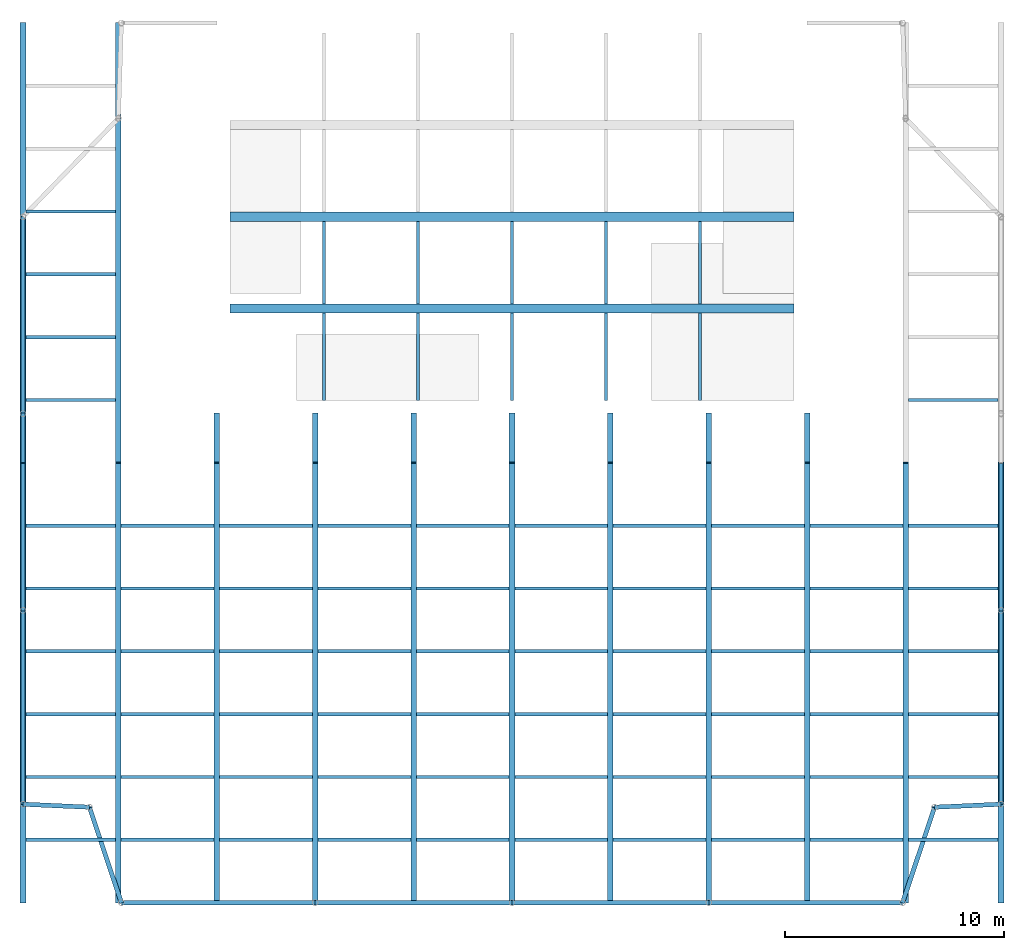
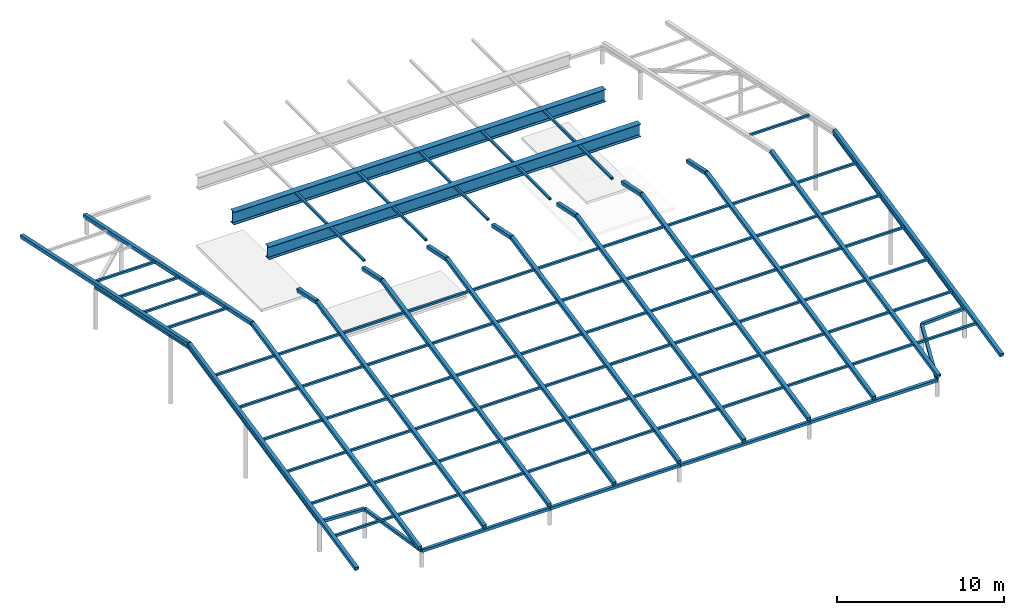
# One storey, part 6 of 7: 85 members, 26 beams.
"""IFC4 building model written with IfcOpenShell, lengths in metres."""

from ifc_helpers import new_model, si_unit, direction, frame, origin, origin_2d, place, context, subcontext, project, spatial, hollow_rectangle, i_section, extrude, material, material_profile, profile_set, type_object, element, save


model = new_model("IFC4")

# Units and contexts
model_context = context("Model", 3, precision=1e-05, world=origin(), true_north=direction((0.0, 1.0)))
body_context = subcontext(model_context, "Body", "Model", "MODEL_VIEW")
ifc_project = project(units=[si_unit("LENGTHUNIT", "METRE"), si_unit("AREAUNIT", "SQUARE_METRE"), si_unit("VOLUMEUNIT", "CUBIC_METRE"), si_unit("PLANEANGLEUNIT", "RADIAN"), si_unit("MASSUNIT", "GRAM", prefix="KILO")], contexts=[model_context])

# Site, building, storey
site_placement = place(None, origin())
site = spatial("IfcSite", under=ifc_project, at=site_placement, CompositionType="ELEMENT")
building_placement = place(site_placement, origin())
building = spatial("IfcBuilding", under=site, at=building_placement, Name="Orbiselva Terraces", CompositionType="ELEMENT")
storey_placement = place(building_placement, frame((0.0, 0.0, 306.6)))
storey = spatial("IfcBuildingStorey", under=building, at=storey_placement, Name="ROOF STAIR AND LIFT HEAD HOUSES", CompositionType="ELEMENT", Elevation=306.6)

# Beams
ifc_material_1 = material(Name="Steel ASTM A500 Grade C", Category="steel")
ifc_material_profile_1 = material_profile(ifc_material_1, hollow_rectangle(XDim=0.2032, YDim=0.2032, WallThickness=0.00953, at=origin_2d()), Name="HSS203.2X203.2X9.5")
ifc_profile_set_1 = profile_set([ifc_material_profile_1], Name="Steel ASTM A500 Grade C")
beam_type_1 = type_object("IfcBeamType", Name="CANOPY EDGE BEAM HSS203.2X203.2X9.5", PredefinedType="BEAM", material=ifc_profile_set_1)
beam_1_placement = place(storey_placement, frame((-22.36345, -4.5, 4.009643), z_axis=(0.0, -0.97814761098, -0.207911642614), x_axis=(1.0, 0.0, 0.0)))
element("IfcBeam", 1, at=beam_1_placement, inside=storey, type_object=beam_type_1, Name="Canopy edge beam 01", PredefinedType="BEAM", context=body_context, shape_type="SweptSolid", body=[
    extrude(hollow_rectangle(XDim=0.2032, YDim=0.2032, WallThickness=0.00953, at=origin_2d()), origin(), (0.0, 0.0, 1.0), 9.061465),
])
beam_2_placement = place(storey_placement, frame((-22.36345, -13.36345, 2.125659), z_axis=(0.998949664244, -0.04481971994, -0.009526857351), x_axis=(0.04482175402, 0.998995000171, 0.0)))
element("IfcBeam", 2, at=beam_2_placement, inside=storey, type_object=beam_type_1, Name="Canopy edge beam 02", PredefinedType="BEAM", context=body_context, shape_type="SweptSolid", body=[
    extrude(hollow_rectangle(XDim=0.2032, YDim=0.2032, WallThickness=0.00953, at=origin_2d()), origin(), (0.0, 0.0, 1.0), 3.04665),
])
beam_3_placement = place(storey_placement, frame((-19.32, -13.5, 2.096634), z_axis=(0.310386206159, -0.929837418053, -0.197643059619), x_axis=(0.948548433206, 0.316632073333, 0.0)))
element("IfcBeam", 3, at=beam_3_placement, inside=storey, type_object=beam_type_1, Name="Canopy edge beam 03", PredefinedType="BEAM", context=body_context, shape_type="SweptSolid", body=[
    extrude(hollow_rectangle(XDim=0.2032, YDim=0.2032, WallThickness=0.00953, at=origin_2d()), origin(), (0.0, 0.0, 1.0), 4.692702),
])
beam_4_placement = place(storey_placement, frame((-17.86345, -17.86345, 1.169154), z_axis=(1.0, 0.0, 0.0), x_axis=(0.0, 1.0, 0.0)))
element("IfcBeam", 4, at=beam_4_placement, inside=storey, type_object=beam_type_1, Name="Canopy edge beam 04", PredefinedType="BEAM", context=body_context, shape_type="SweptSolid", body=[
    extrude(hollow_rectangle(XDim=0.2032, YDim=0.2032, WallThickness=0.00953, at=origin_2d()), origin(), (0.0, 0.0, 1.0), 8.86345),
])
for number, where, z_axis, x_axis, name in (
    (5, (-9.0, -17.86345, 1.169154), (1.0, 0.0, 0.0), (0.0, 1.0, 0.0), "Canopy edge beam 05"),
    (6, (0.0, -17.86345, 1.169154), (1.0, 0.0, 0.0), (0.0, 1.0, 0.0), "Canopy edge beam 06"),
):
    element("IfcBeam", number, at=place(storey_placement, frame(where, z_axis=z_axis, x_axis=x_axis)), inside=storey, type_object=beam_type_1, Name=name, PredefinedType="BEAM", context=body_context, shape_type="SweptSolid", body=[
        extrude(hollow_rectangle(XDim=0.2032, YDim=0.2032, WallThickness=0.00953, at=origin_2d()), origin(), (0.0, 0.0, 1.0), 9.0),
    ])
beam_5_placement = place(storey_placement, frame((9.0, -17.86345, 1.169154), z_axis=(1.0, 0.0, 0.0), x_axis=(0.0, 1.0, 0.0)))
element("IfcBeam", 7, at=beam_5_placement, inside=storey, type_object=beam_type_1, Name="Canopy edge beam 07", PredefinedType="BEAM", context=body_context, shape_type="SweptSolid", body=[
    extrude(hollow_rectangle(XDim=0.2032, YDim=0.2032, WallThickness=0.00953, at=origin_2d()), origin(), (0.0, 0.0, 1.0), 8.86345),
])
beam_6_placement = place(storey_placement, frame((17.86345, -17.86345, 1.169154), z_axis=(0.310386206159, 0.929837418053, 0.197643059619), x_axis=(-0.948548433206, 0.316632073333, 0.0)))
element("IfcBeam", 8, at=beam_6_placement, inside=storey, type_object=beam_type_1, Name="Canopy edge beam 08", PredefinedType="BEAM", context=body_context, shape_type="SweptSolid", body=[
    extrude(hollow_rectangle(XDim=0.2032, YDim=0.2032, WallThickness=0.00953, at=origin_2d()), origin(), (0.0, 0.0, 1.0), 4.692702),
])
beam_7_placement = place(storey_placement, frame((19.32, -13.5, 2.096634), z_axis=(0.998949664244, 0.04481971994, 0.009526857351), x_axis=(-0.04482175402, 0.998995000171, 0.0)))
element("IfcBeam", 9, at=beam_7_placement, inside=storey, type_object=beam_type_1, Name="Canopy edge beam 09", PredefinedType="BEAM", context=body_context, shape_type="SweptSolid", body=[
    extrude(hollow_rectangle(XDim=0.2032, YDim=0.2032, WallThickness=0.00953, at=origin_2d()), origin(), (0.0, 0.0, 1.0), 3.04665),
])
beam_8_placement = place(storey_placement, frame((22.36345, -13.36345, 2.125659), z_axis=(0.0, 0.97814761098, 0.207911642614), x_axis=(-1.0, 0.0, 0.0)))
element("IfcBeam", 10, at=beam_8_placement, inside=storey, type_object=beam_type_1, Name="Canopy edge beam 10", PredefinedType="BEAM", context=body_context, shape_type="SweptSolid", body=[
    extrude(hollow_rectangle(XDim=0.2032, YDim=0.2032, WallThickness=0.00953, at=origin_2d()), origin(), (0.0, 0.0, 1.0), 9.061465),
])
beam_9_placement = place(storey_placement, frame((22.36345, -4.5, 4.009643), z_axis=(0.0, 0.978147594583, 0.207911719757), x_axis=(-1.0, 0.0, 0.0)))
element("IfcBeam", 11, at=beam_9_placement, inside=storey, type_object=beam_type_1, Name="Canopy edge beam 11", PredefinedType="BEAM", context=body_context, shape_type="SweptSolid", body=[
    extrude(hollow_rectangle(XDim=0.2032, YDim=0.2032, WallThickness=0.00953, at=origin_2d()), origin(), (0.0, 0.0, 1.0), 6.900799),
])
beam_10_placement = place(storey_placement, frame((-22.36345, 13.5, 3.053139), z_axis=(0.0, -0.97814760195, 0.207911685095), x_axis=(1.0, 0.0, 0.0)))
element("IfcBeam", 12, at=beam_10_placement, inside=storey, type_object=beam_type_1, Name="Canopy edge beam 18", PredefinedType="BEAM", context=body_context, shape_type="SweptSolid", body=[
    extrude(hollow_rectangle(XDim=0.2032, YDim=0.2032, WallThickness=0.00953, at=origin_2d()), origin(), (0.0, 0.0, 1.0), 9.201065),
])
beam_11_placement = place(storey_placement, frame((-22.36345, 4.5, 4.966148), z_axis=(0.0, -0.978147624053, 0.20791158111), x_axis=(1.0, 0.0, 0.0)))
element("IfcBeam", 13, at=beam_11_placement, inside=storey, type_object=beam_type_1, Name="Canopy edge beam 19", PredefinedType="BEAM", context=body_context, shape_type="SweptSolid", body=[
    extrude(hollow_rectangle(XDim=0.2032, YDim=0.2032, WallThickness=0.00953, at=origin_2d()), origin(), (0.0, 0.0, 1.0), 2.300266),
])
beam_12_placement = place(storey_placement, frame((-22.36345, 2.25, 5.4444), z_axis=(0.0, -0.978147594583, -0.207911719757), x_axis=(1.0, 0.0, 0.0)))
element("IfcBeam", 14, at=beam_12_placement, inside=storey, type_object=beam_type_1, Name="Canopy edge beam 20", PredefinedType="BEAM", context=body_context, shape_type="SweptSolid", body=[
    extrude(hollow_rectangle(XDim=0.2032, YDim=0.2032, WallThickness=0.00953, at=origin_2d()), origin(), (0.0, 0.0, 1.0), 6.900799),
])

# Members
ifc_material_profile_2 = material_profile(ifc_material_1, hollow_rectangle(XDim=0.1524, YDim=0.1524, WallThickness=0.00635, at=origin_2d()), Name="HSS152.4X152.4X6.4")
ifc_profile_set_2 = profile_set([ifc_material_profile_2], Name="Steel ASTM A500 Grade C")
member_type_1 = type_object("IfcMemberType", Name="CANOPY PURLIN HSS152.4X152.4X6.4", PredefinedType="PURLIN", material=ifc_profile_set_2)
member_1_placement = place(storey_placement, frame((-22.23645, -14.9901, 2.043107), z_axis=(1.0, 0.0, 0.0), x_axis=(0.0, 1.0, 0.0)))
element("IfcMember", 15, at=member_1_placement, inside=storey, type_object=member_type_1, Name="Canopy purlin south row 01 bay 01", PredefinedType="PURLIN", context=body_context, shape_type="SweptSolid", body=[
    extrude(hollow_rectangle(XDim=0.1524, YDim=0.1524, WallThickness=0.00635, at=origin_2d()), origin(), (0.0, 0.0, 1.0), 4.10945),
])
for number, where, z_axis, x_axis, name in (
    (16, (-17.873, -14.9901, 2.043107), (1.0, 0.0, 0.0), (0.0, 1.0, 0.0), "Canopy purlin south row 01 bay 02"),
    (17, (-13.373, -14.9901, 2.043107), (1.0, 0.0, 0.0), (0.0, 1.0, 0.0), "Canopy purlin south row 01 bay 03"),
    (18, (-8.873, -14.9901, 2.043107), (1.0, 0.0, 0.0), (0.0, 1.0, 0.0), "Canopy purlin south row 01 bay 04"),
    (19, (-4.373, -14.9901, 2.043107), (1.0, 0.0, 0.0), (0.0, 1.0, 0.0), "Canopy purlin south row 01 bay 05"),
    (20, (0.127, -14.9901, 2.043107), (1.0, 0.0, 0.0), (0.0, 1.0, 0.0), "Canopy purlin south row 01 bay 06"),
    (21, (4.627, -14.9901, 2.043107), (1.0, 0.0, 0.0), (0.0, 1.0, 0.0), "Canopy purlin south row 01 bay 07"),
    (22, (9.127, -14.9901, 2.043107), (1.0, 0.0, 0.0), (0.0, 1.0, 0.0), "Canopy purlin south row 01 bay 08"),
    (23, (13.627, -14.9901, 2.043107), (1.0, 0.0, 0.0), (0.0, 1.0, 0.0), "Canopy purlin south row 01 bay 09"),
):
    element("IfcMember", number, at=place(storey_placement, frame(where, z_axis=z_axis, x_axis=x_axis)), inside=storey, type_object=member_type_1, Name=name, PredefinedType="PURLIN", context=body_context, shape_type="SweptSolid", body=[
        extrude(hollow_rectangle(XDim=0.1524, YDim=0.1524, WallThickness=0.00635, at=origin_2d()), origin(), (0.0, 0.0, 1.0), 4.246),
    ])
for number, where, z_axis, x_axis, name in (
    (24, (18.127, -14.9901, 2.043107), (1.0, 0.0, 0.0), (0.0, 1.0, 0.0), "Canopy purlin south row 01 bay 10"),
    (25, (-22.23645, -12.11675, 2.653856), (1.0, 0.0, 0.0), (0.0, 1.0, 0.0), "Canopy purlin south row 02 bay 01"),
):
    element("IfcMember", number, at=place(storey_placement, frame(where, z_axis=z_axis, x_axis=x_axis)), inside=storey, type_object=member_type_1, Name=name, PredefinedType="PURLIN", context=body_context, shape_type="SweptSolid", body=[
        extrude(hollow_rectangle(XDim=0.1524, YDim=0.1524, WallThickness=0.00635, at=origin_2d()), origin(), (0.0, 0.0, 1.0), 4.10945),
    ])
for number, where, z_axis, x_axis, name in (
    (26, (-17.873, -12.11675, 2.653856), (1.0, 0.0, 0.0), (0.0, 1.0, 0.0), "Canopy purlin south row 02 bay 02"),
    (27, (-13.373, -12.11675, 2.653856), (1.0, 0.0, 0.0), (0.0, 1.0, 0.0), "Canopy purlin south row 02 bay 03"),
    (28, (-8.873, -12.11675, 2.653856), (1.0, 0.0, 0.0), (0.0, 1.0, 0.0), "Canopy purlin south row 02 bay 04"),
    (29, (-4.373, -12.11675, 2.653856), (1.0, 0.0, 0.0), (0.0, 1.0, 0.0), "Canopy purlin south row 02 bay 05"),
    (30, (0.127, -12.11675, 2.653856), (1.0, 0.0, 0.0), (0.0, 1.0, 0.0), "Canopy purlin south row 02 bay 06"),
    (31, (4.627, -12.11675, 2.653856), (1.0, 0.0, 0.0), (0.0, 1.0, 0.0), "Canopy purlin south row 02 bay 07"),
    (32, (9.127, -12.11675, 2.653856), (1.0, 0.0, 0.0), (0.0, 1.0, 0.0), "Canopy purlin south row 02 bay 08"),
    (33, (13.627, -12.11675, 2.653856), (1.0, 0.0, 0.0), (0.0, 1.0, 0.0), "Canopy purlin south row 02 bay 09"),
):
    element("IfcMember", number, at=place(storey_placement, frame(where, z_axis=z_axis, x_axis=x_axis)), inside=storey, type_object=member_type_1, Name=name, PredefinedType="PURLIN", context=body_context, shape_type="SweptSolid", body=[
        extrude(hollow_rectangle(XDim=0.1524, YDim=0.1524, WallThickness=0.00635, at=origin_2d()), origin(), (0.0, 0.0, 1.0), 4.246),
    ])
for number, where, z_axis, x_axis, name in (
    (34, (18.127, -12.11675, 2.653856), (1.0, 0.0, 0.0), (0.0, 1.0, 0.0), "Canopy purlin south row 02 bay 10"),
    (35, (-22.23645, -9.2434, 3.264605), (1.0, 0.0, 0.0), (0.0, 1.0, 0.0), "Canopy purlin south row 03 bay 01"),
):
    element("IfcMember", number, at=place(storey_placement, frame(where, z_axis=z_axis, x_axis=x_axis)), inside=storey, type_object=member_type_1, Name=name, PredefinedType="PURLIN", context=body_context, shape_type="SweptSolid", body=[
        extrude(hollow_rectangle(XDim=0.1524, YDim=0.1524, WallThickness=0.00635, at=origin_2d()), origin(), (0.0, 0.0, 1.0), 4.10945),
    ])
for number, where, z_axis, x_axis, name in (
    (36, (-17.873, -9.2434, 3.264605), (1.0, 0.0, 0.0), (0.0, 1.0, 0.0), "Canopy purlin south row 03 bay 02"),
    (37, (-13.373, -9.2434, 3.264605), (1.0, 0.0, 0.0), (0.0, 1.0, 0.0), "Canopy purlin south row 03 bay 03"),
    (38, (-8.873, -9.2434, 3.264605), (1.0, 0.0, 0.0), (0.0, 1.0, 0.0), "Canopy purlin south row 03 bay 04"),
    (39, (-4.373, -9.2434, 3.264605), (1.0, 0.0, 0.0), (0.0, 1.0, 0.0), "Canopy purlin south row 03 bay 05"),
    (40, (0.127, -9.2434, 3.264605), (1.0, 0.0, 0.0), (0.0, 1.0, 0.0), "Canopy purlin south row 03 bay 06"),
    (41, (4.627, -9.2434, 3.264605), (1.0, 0.0, 0.0), (0.0, 1.0, 0.0), "Canopy purlin south row 03 bay 07"),
    (42, (9.127, -9.2434, 3.264605), (1.0, 0.0, 0.0), (0.0, 1.0, 0.0), "Canopy purlin south row 03 bay 08"),
    (43, (13.627, -9.2434, 3.264605), (1.0, 0.0, 0.0), (0.0, 1.0, 0.0), "Canopy purlin south row 03 bay 09"),
):
    element("IfcMember", number, at=place(storey_placement, frame(where, z_axis=z_axis, x_axis=x_axis)), inside=storey, type_object=member_type_1, Name=name, PredefinedType="PURLIN", context=body_context, shape_type="SweptSolid", body=[
        extrude(hollow_rectangle(XDim=0.1524, YDim=0.1524, WallThickness=0.00635, at=origin_2d()), origin(), (0.0, 0.0, 1.0), 4.246),
    ])
for number, where, z_axis, x_axis, name in (
    (44, (18.127, -9.2434, 3.264605), (1.0, 0.0, 0.0), (0.0, 1.0, 0.0), "Canopy purlin south row 03 bay 10"),
    (45, (-22.23645, -6.37005, 3.875355), (1.0, 0.0, 0.0), (0.0, 1.0, 0.0), "Canopy purlin south row 04 bay 01"),
):
    element("IfcMember", number, at=place(storey_placement, frame(where, z_axis=z_axis, x_axis=x_axis)), inside=storey, type_object=member_type_1, Name=name, PredefinedType="PURLIN", context=body_context, shape_type="SweptSolid", body=[
        extrude(hollow_rectangle(XDim=0.1524, YDim=0.1524, WallThickness=0.00635, at=origin_2d()), origin(), (0.0, 0.0, 1.0), 4.10945),
    ])
for number, where, z_axis, x_axis, name in (
    (46, (-17.873, -6.37005, 3.875355), (1.0, 0.0, 0.0), (0.0, 1.0, 0.0), "Canopy purlin south row 04 bay 02"),
    (47, (-13.373, -6.37005, 3.875355), (1.0, 0.0, 0.0), (0.0, 1.0, 0.0), "Canopy purlin south row 04 bay 03"),
    (48, (-8.873, -6.37005, 3.875355), (1.0, 0.0, 0.0), (0.0, 1.0, 0.0), "Canopy purlin south row 04 bay 04"),
    (49, (-4.373, -6.37005, 3.875355), (1.0, 0.0, 0.0), (0.0, 1.0, 0.0), "Canopy purlin south row 04 bay 05"),
    (50, (0.127, -6.37005, 3.875355), (1.0, 0.0, 0.0), (0.0, 1.0, 0.0), "Canopy purlin south row 04 bay 06"),
    (51, (4.627, -6.37005, 3.875355), (1.0, 0.0, 0.0), (0.0, 1.0, 0.0), "Canopy purlin south row 04 bay 07"),
    (52, (9.127, -6.37005, 3.875355), (1.0, 0.0, 0.0), (0.0, 1.0, 0.0), "Canopy purlin south row 04 bay 08"),
    (53, (13.627, -6.37005, 3.875355), (1.0, 0.0, 0.0), (0.0, 1.0, 0.0), "Canopy purlin south row 04 bay 09"),
):
    element("IfcMember", number, at=place(storey_placement, frame(where, z_axis=z_axis, x_axis=x_axis)), inside=storey, type_object=member_type_1, Name=name, PredefinedType="PURLIN", context=body_context, shape_type="SweptSolid", body=[
        extrude(hollow_rectangle(XDim=0.1524, YDim=0.1524, WallThickness=0.00635, at=origin_2d()), origin(), (0.0, 0.0, 1.0), 4.246),
    ])
for number, where, z_axis, x_axis, name in (
    (54, (18.127, -6.37005, 3.875355), (1.0, 0.0, 0.0), (0.0, 1.0, 0.0), "Canopy purlin south row 04 bay 10"),
    (55, (-22.23645, -3.4967, 4.486104), (1.0, 0.0, 0.0), (0.0, 1.0, 0.0), "Canopy purlin south row 05 bay 01"),
):
    element("IfcMember", number, at=place(storey_placement, frame(where, z_axis=z_axis, x_axis=x_axis)), inside=storey, type_object=member_type_1, Name=name, PredefinedType="PURLIN", context=body_context, shape_type="SweptSolid", body=[
        extrude(hollow_rectangle(XDim=0.1524, YDim=0.1524, WallThickness=0.00635, at=origin_2d()), origin(), (0.0, 0.0, 1.0), 4.10945),
    ])
for number, where, z_axis, x_axis, name in (
    (56, (-17.873, -3.4967, 4.486104), (1.0, 0.0, 0.0), (0.0, 1.0, 0.0), "Canopy purlin south row 05 bay 02"),
    (57, (-13.373, -3.4967, 4.486104), (1.0, 0.0, 0.0), (0.0, 1.0, 0.0), "Canopy purlin south row 05 bay 03"),
    (58, (-8.873, -3.4967, 4.486104), (1.0, 0.0, 0.0), (0.0, 1.0, 0.0), "Canopy purlin south row 05 bay 04"),
    (59, (-4.373, -3.4967, 4.486104), (1.0, 0.0, 0.0), (0.0, 1.0, 0.0), "Canopy purlin south row 05 bay 05"),
    (60, (0.127, -3.4967, 4.486104), (1.0, 0.0, 0.0), (0.0, 1.0, 0.0), "Canopy purlin south row 05 bay 06"),
    (61, (4.627, -3.4967, 4.486104), (1.0, 0.0, 0.0), (0.0, 1.0, 0.0), "Canopy purlin south row 05 bay 07"),
    (62, (9.127, -3.4967, 4.486104), (1.0, 0.0, 0.0), (0.0, 1.0, 0.0), "Canopy purlin south row 05 bay 08"),
    (63, (13.627, -3.4967, 4.486104), (1.0, 0.0, 0.0), (0.0, 1.0, 0.0), "Canopy purlin south row 05 bay 09"),
):
    element("IfcMember", number, at=place(storey_placement, frame(where, z_axis=z_axis, x_axis=x_axis)), inside=storey, type_object=member_type_1, Name=name, PredefinedType="PURLIN", context=body_context, shape_type="SweptSolid", body=[
        extrude(hollow_rectangle(XDim=0.1524, YDim=0.1524, WallThickness=0.00635, at=origin_2d()), origin(), (0.0, 0.0, 1.0), 4.246),
    ])
for number, where, z_axis, x_axis, name in (
    (64, (18.127, -3.4967, 4.486104), (1.0, 0.0, 0.0), (0.0, 1.0, 0.0), "Canopy purlin south row 05 bay 10"),
    (65, (-22.23645, -0.62335, 5.096854), (1.0, 0.0, 0.0), (0.0, 1.0, 0.0), "Canopy purlin south row 06 bay 01"),
):
    element("IfcMember", number, at=place(storey_placement, frame(where, z_axis=z_axis, x_axis=x_axis)), inside=storey, type_object=member_type_1, Name=name, PredefinedType="PURLIN", context=body_context, shape_type="SweptSolid", body=[
        extrude(hollow_rectangle(XDim=0.1524, YDim=0.1524, WallThickness=0.00635, at=origin_2d()), origin(), (0.0, 0.0, 1.0), 4.10945),
    ])
for number, where, z_axis, x_axis, name in (
    (66, (-17.873, -0.62335, 5.096854), (1.0, 0.0, 0.0), (0.0, 1.0, 0.0), "Canopy purlin south row 06 bay 02"),
    (67, (-13.373, -0.62335, 5.096854), (1.0, 0.0, 0.0), (0.0, 1.0, 0.0), "Canopy purlin south row 06 bay 03"),
    (68, (-8.873, -0.62335, 5.096854), (1.0, 0.0, 0.0), (0.0, 1.0, 0.0), "Canopy purlin south row 06 bay 04"),
    (69, (-4.373, -0.62335, 5.096854), (1.0, 0.0, 0.0), (0.0, 1.0, 0.0), "Canopy purlin south row 06 bay 05"),
    (70, (0.127, -0.62335, 5.096854), (1.0, 0.0, 0.0), (0.0, 1.0, 0.0), "Canopy purlin south row 06 bay 06"),
    (71, (4.627, -0.62335, 5.096854), (1.0, 0.0, 0.0), (0.0, 1.0, 0.0), "Canopy purlin south row 06 bay 07"),
    (72, (9.127, -0.62335, 5.096854), (1.0, 0.0, 0.0), (0.0, 1.0, 0.0), "Canopy purlin south row 06 bay 08"),
    (73, (13.627, -0.62335, 5.096854), (1.0, 0.0, 0.0), (0.0, 1.0, 0.0), "Canopy purlin south row 06 bay 09"),
):
    element("IfcMember", number, at=place(storey_placement, frame(where, z_axis=z_axis, x_axis=x_axis)), inside=storey, type_object=member_type_1, Name=name, PredefinedType="PURLIN", context=body_context, shape_type="SweptSolid", body=[
        extrude(hollow_rectangle(XDim=0.1524, YDim=0.1524, WallThickness=0.00635, at=origin_2d()), origin(), (0.0, 0.0, 1.0), 4.246),
    ])
for number, where, z_axis, x_axis, name in (
    (74, (18.127, -0.62335, 5.096854), (1.0, 0.0, 0.0), (0.0, 1.0, 0.0), "Canopy purlin south row 06 bay 10"),
    (75, (-22.23645, 5.12335, 5.096854), (1.0, 0.0, 0.0), (0.0, 1.0, 0.0), "Canopy purlin north row 01 bay 01"),
    (76, (18.127, 5.12335, 5.096854), (1.0, 0.0, 0.0), (0.0, 1.0, 0.0), "Canopy purlin north row 01 bay 10"),
    (77, (-22.23645, 7.9967, 4.486104), (1.0, 0.0, 0.0), (0.0, 1.0, 0.0), "Canopy purlin north row 02 bay 01"),
    (78, (-22.23645, 10.87005, 3.875355), (1.0, 0.0, 0.0), (0.0, 1.0, 0.0), "Canopy purlin north row 03 bay 01"),
    (79, (-22.23645, 13.7434, 3.264605), (1.0, 0.0, 0.0), (0.0, 1.0, 0.0), "Canopy purlin north row 04 bay 01"),
):
    element("IfcMember", number, at=place(storey_placement, frame(where, z_axis=z_axis, x_axis=x_axis)), inside=storey, type_object=member_type_1, Name=name, PredefinedType="PURLIN", context=body_context, shape_type="SweptSolid", body=[
        extrude(hollow_rectangle(XDim=0.1524, YDim=0.1524, WallThickness=0.00635, at=origin_2d()), origin(), (0.0, 0.0, 1.0), 4.10945),
    ])
ifc_material_profile_3 = material_profile(ifc_material_1, hollow_rectangle(XDim=0.254, YDim=0.254, WallThickness=0.0127, at=origin_2d()), Name="HSS254X254X12.7")
ifc_profile_set_3 = profile_set([ifc_material_profile_3], Name="Steel ASTM A500 Grade C")
member_type_2 = type_object("IfcMemberType", Name="CANOPY RAFTER HSS254X254X12.7", PredefinedType="RAFTER", material=ifc_profile_set_3)
for number, where, z_axis, x_axis, name in (
    (80, (-22.36345, -17.86345, 1.397754), (0.0, 0.978147598512, 0.207911701272), (-1.0, 0.0, 0.0), "Canopy rafter south 01"),
    (81, (-22.36345, 2.25, 5.673), (0.0, 0.978147598512, -0.207911701272), (-1.0, 0.0, 0.0), "Canopy rafter north 01"),
    (82, (-18.0, -17.86345, 1.397754), (0.0, 0.978147598512, 0.207911701272), (-1.0, 0.0, 0.0), "Canopy rafter south 02"),
    (83, (-18.0, 2.25, 5.673), (0.0, 0.978147598512, -0.207911701272), (-1.0, 0.0, 0.0), "Canopy rafter north 02"),
    (84, (-13.5, -17.86345, 1.397754), (0.0, 0.978147598512, 0.207911701272), (-1.0, 0.0, 0.0), "Canopy rafter south 03"),
):
    element("IfcMember", number, at=place(storey_placement, frame(where, z_axis=z_axis, x_axis=x_axis)), inside=storey, type_object=member_type_2, Name=name, PredefinedType="RAFTER", context=body_context, shape_type="SweptSolid", body=[
        extrude(hollow_rectangle(XDim=0.254, YDim=0.254, WallThickness=0.0127, at=origin_2d()), origin(), (0.0, 0.0, 1.0), 20.562796),
    ])
member_2_placement = place(storey_placement, frame((-13.5, 2.25, 5.673), z_axis=(0.0, 0.978147624053, -0.20791158111), x_axis=(-1.0, 0.0, 0.0)))
element("IfcMember", 85, at=member_2_placement, inside=storey, type_object=member_type_2, Name="Canopy rafter north 03", PredefinedType="RAFTER", context=body_context, shape_type="SweptSolid", body=[
    extrude(hollow_rectangle(XDim=0.254, YDim=0.254, WallThickness=0.0127, at=origin_2d()), origin(), (0.0, 0.0, 1.0), 2.300266),
])
member_3_placement = place(storey_placement, frame((-9.0, -17.86345, 1.397754), z_axis=(0.0, 0.978147598512, 0.207911701272), x_axis=(-1.0, 0.0, 0.0)))
element("IfcMember", 86, at=member_3_placement, inside=storey, type_object=member_type_2, Name="Canopy rafter south 04", PredefinedType="RAFTER", context=body_context, shape_type="SweptSolid", body=[
    extrude(hollow_rectangle(XDim=0.254, YDim=0.254, WallThickness=0.0127, at=origin_2d()), origin(), (0.0, 0.0, 1.0), 20.562796),
])
member_4_placement = place(storey_placement, frame((-9.0, 2.25, 5.673), z_axis=(0.0, 0.978147624053, -0.20791158111), x_axis=(-1.0, 0.0, 0.0)))
element("IfcMember", 87, at=member_4_placement, inside=storey, type_object=member_type_2, Name="Canopy rafter north 04", PredefinedType="RAFTER", context=body_context, shape_type="SweptSolid", body=[
    extrude(hollow_rectangle(XDim=0.254, YDim=0.254, WallThickness=0.0127, at=origin_2d()), origin(), (0.0, 0.0, 1.0), 2.300266),
])
member_5_placement = place(storey_placement, frame((-4.5, -17.86345, 1.397754), z_axis=(0.0, 0.978147598512, 0.207911701272), x_axis=(-1.0, 0.0, 0.0)))
element("IfcMember", 88, at=member_5_placement, inside=storey, type_object=member_type_2, Name="Canopy rafter south 05", PredefinedType="RAFTER", context=body_context, shape_type="SweptSolid", body=[
    extrude(hollow_rectangle(XDim=0.254, YDim=0.254, WallThickness=0.0127, at=origin_2d()), origin(), (0.0, 0.0, 1.0), 20.562796),
])
member_6_placement = place(storey_placement, frame((-4.5, 2.25, 5.673), z_axis=(0.0, 0.978147624053, -0.20791158111), x_axis=(-1.0, 0.0, 0.0)))
element("IfcMember", 89, at=member_6_placement, inside=storey, type_object=member_type_2, Name="Canopy rafter north 05", PredefinedType="RAFTER", context=body_context, shape_type="SweptSolid", body=[
    extrude(hollow_rectangle(XDim=0.254, YDim=0.254, WallThickness=0.0127, at=origin_2d()), origin(), (0.0, 0.0, 1.0), 2.300266),
])
member_7_placement = place(storey_placement, frame((0.0, -17.86345, 1.397754), z_axis=(0.0, 0.978147598512, 0.207911701272), x_axis=(-1.0, 0.0, 0.0)))
element("IfcMember", 90, at=member_7_placement, inside=storey, type_object=member_type_2, Name="Canopy rafter south 06", PredefinedType="RAFTER", context=body_context, shape_type="SweptSolid", body=[
    extrude(hollow_rectangle(XDim=0.254, YDim=0.254, WallThickness=0.0127, at=origin_2d()), origin(), (0.0, 0.0, 1.0), 20.562796),
])
member_8_placement = place(storey_placement, frame((0.0, 2.25, 5.673), z_axis=(0.0, 0.978147624053, -0.20791158111), x_axis=(-1.0, 0.0, 0.0)))
element("IfcMember", 91, at=member_8_placement, inside=storey, type_object=member_type_2, Name="Canopy rafter north 06", PredefinedType="RAFTER", context=body_context, shape_type="SweptSolid", body=[
    extrude(hollow_rectangle(XDim=0.254, YDim=0.254, WallThickness=0.0127, at=origin_2d()), origin(), (0.0, 0.0, 1.0), 2.300266),
])
member_9_placement = place(storey_placement, frame((4.5, -17.86345, 1.397754), z_axis=(0.0, 0.978147598512, 0.207911701272), x_axis=(-1.0, 0.0, 0.0)))
element("IfcMember", 92, at=member_9_placement, inside=storey, type_object=member_type_2, Name="Canopy rafter south 07", PredefinedType="RAFTER", context=body_context, shape_type="SweptSolid", body=[
    extrude(hollow_rectangle(XDim=0.254, YDim=0.254, WallThickness=0.0127, at=origin_2d()), origin(), (0.0, 0.0, 1.0), 20.562796),
])
member_10_placement = place(storey_placement, frame((4.5, 2.25, 5.673), z_axis=(0.0, 0.978147624053, -0.20791158111), x_axis=(-1.0, 0.0, 0.0)))
element("IfcMember", 93, at=member_10_placement, inside=storey, type_object=member_type_2, Name="Canopy rafter north 07", PredefinedType="RAFTER", context=body_context, shape_type="SweptSolid", body=[
    extrude(hollow_rectangle(XDim=0.254, YDim=0.254, WallThickness=0.0127, at=origin_2d()), origin(), (0.0, 0.0, 1.0), 2.300266),
])
member_11_placement = place(storey_placement, frame((9.0, -17.86345, 1.397754), z_axis=(0.0, 0.978147598512, 0.207911701272), x_axis=(-1.0, 0.0, 0.0)))
element("IfcMember", 94, at=member_11_placement, inside=storey, type_object=member_type_2, Name="Canopy rafter south 08", PredefinedType="RAFTER", context=body_context, shape_type="SweptSolid", body=[
    extrude(hollow_rectangle(XDim=0.254, YDim=0.254, WallThickness=0.0127, at=origin_2d()), origin(), (0.0, 0.0, 1.0), 20.562796),
])
member_12_placement = place(storey_placement, frame((9.0, 2.25, 5.673), z_axis=(0.0, 0.978147624053, -0.20791158111), x_axis=(-1.0, 0.0, 0.0)))
element("IfcMember", 95, at=member_12_placement, inside=storey, type_object=member_type_2, Name="Canopy rafter north 08", PredefinedType="RAFTER", context=body_context, shape_type="SweptSolid", body=[
    extrude(hollow_rectangle(XDim=0.254, YDim=0.254, WallThickness=0.0127, at=origin_2d()), origin(), (0.0, 0.0, 1.0), 2.300266),
])
member_13_placement = place(storey_placement, frame((13.5, -17.86345, 1.397754), z_axis=(0.0, 0.978147598512, 0.207911701272), x_axis=(-1.0, 0.0, 0.0)))
element("IfcMember", 96, at=member_13_placement, inside=storey, type_object=member_type_2, Name="Canopy rafter south 09", PredefinedType="RAFTER", context=body_context, shape_type="SweptSolid", body=[
    extrude(hollow_rectangle(XDim=0.254, YDim=0.254, WallThickness=0.0127, at=origin_2d()), origin(), (0.0, 0.0, 1.0), 20.562796),
])
member_14_placement = place(storey_placement, frame((13.5, 2.25, 5.673), z_axis=(0.0, 0.978147624053, -0.20791158111), x_axis=(-1.0, 0.0, 0.0)))
element("IfcMember", 97, at=member_14_placement, inside=storey, type_object=member_type_2, Name="Canopy rafter north 09", PredefinedType="RAFTER", context=body_context, shape_type="SweptSolid", body=[
    extrude(hollow_rectangle(XDim=0.254, YDim=0.254, WallThickness=0.0127, at=origin_2d()), origin(), (0.0, 0.0, 1.0), 2.300266),
])
for number, where, z_axis, x_axis, name in (
    (98, (18.0, -17.86345, 1.397754), (0.0, 0.978147598512, 0.207911701272), (-1.0, 0.0, 0.0), "Canopy rafter south 10"),
    (99, (22.36345, -17.86345, 1.397754), (0.0, 0.978147598512, 0.207911701272), (-1.0, 0.0, 0.0), "Canopy rafter south 11"),
):
    element("IfcMember", number, at=place(storey_placement, frame(where, z_axis=z_axis, x_axis=x_axis)), inside=storey, type_object=member_type_2, Name=name, PredefinedType="RAFTER", context=body_context, shape_type="SweptSolid", body=[
        extrude(hollow_rectangle(XDim=0.254, YDim=0.254, WallThickness=0.0127, at=origin_2d()), origin(), (0.0, 0.0, 1.0), 20.562796),
    ])

# Beams
ifc_material_profile_4 = material_profile(ifc_material_1, hollow_rectangle(XDim=0.1524, YDim=0.1524, WallThickness=0.00635, at=origin_2d()), Name="HSS152.4X152.4X6.4")
ifc_profile_set_4 = profile_set([ifc_material_profile_4], Name="Steel ASTM A500 Grade C")
beam_type_2 = type_object("IfcBeamType", Name="GLAZING BAR HSS152.4X152.4X6.4", PredefinedType="BEAM", material=ifc_profile_set_4)
beam_13_placement = place(storey_placement, frame((-8.6, 5.1, 5.2455), z_axis=(0.0, 1.0, 0.0), x_axis=(-1.0, 0.0, 0.0)))
element("IfcBeam", 100, at=beam_13_placement, inside=storey, type_object=beam_type_2, Name="Glazing bar 1", PredefinedType="BEAM", context=body_context, shape_type="SweptSolid", body=[
    extrude(hollow_rectangle(XDim=0.1524, YDim=0.1524, WallThickness=0.00635, at=origin_2d()), origin(), (0.0, 0.0, 1.0), 3.9905),
])
beam_14_placement = place(storey_placement, frame((-8.6, 9.5095, 5.2455), z_axis=(0.0, 1.0, 0.0), x_axis=(-1.0, 0.0, 0.0)))
element("IfcBeam", 101, at=beam_14_placement, inside=storey, type_object=beam_type_2, Name="Glazing bar 2", PredefinedType="BEAM", context=body_context, shape_type="SweptSolid", body=[
    extrude(hollow_rectangle(XDim=0.1524, YDim=0.1524, WallThickness=0.00635, at=origin_2d()), origin(), (0.0, 0.0, 1.0), 3.781),
])
beam_15_placement = place(storey_placement, frame((-4.3, 5.1, 5.2455), z_axis=(0.0, 1.0, 0.0), x_axis=(-1.0, 0.0, 0.0)))
element("IfcBeam", 102, at=beam_15_placement, inside=storey, type_object=beam_type_2, Name="Glazing bar 5", PredefinedType="BEAM", context=body_context, shape_type="SweptSolid", body=[
    extrude(hollow_rectangle(XDim=0.1524, YDim=0.1524, WallThickness=0.00635, at=origin_2d()), origin(), (0.0, 0.0, 1.0), 3.9905),
])
beam_16_placement = place(storey_placement, frame((-4.3, 9.5095, 5.2455), z_axis=(0.0, 1.0, 0.0), x_axis=(-1.0, 0.0, 0.0)))
element("IfcBeam", 103, at=beam_16_placement, inside=storey, type_object=beam_type_2, Name="Glazing bar 6", PredefinedType="BEAM", context=body_context, shape_type="SweptSolid", body=[
    extrude(hollow_rectangle(XDim=0.1524, YDim=0.1524, WallThickness=0.00635, at=origin_2d()), origin(), (0.0, 0.0, 1.0), 3.781),
])
beam_17_placement = place(storey_placement, frame((0.0, 5.1, 5.2455), z_axis=(0.0, 1.0, 0.0), x_axis=(-1.0, 0.0, 0.0)))
element("IfcBeam", 104, at=beam_17_placement, inside=storey, type_object=beam_type_2, Name="Glazing bar 9", PredefinedType="BEAM", context=body_context, shape_type="SweptSolid", body=[
    extrude(hollow_rectangle(XDim=0.1524, YDim=0.1524, WallThickness=0.00635, at=origin_2d()), origin(), (0.0, 0.0, 1.0), 3.9905),
])
beam_18_placement = place(storey_placement, frame((0.0, 9.5095, 5.2455), z_axis=(0.0, 1.0, 0.0), x_axis=(-1.0, 0.0, 0.0)))
element("IfcBeam", 105, at=beam_18_placement, inside=storey, type_object=beam_type_2, Name="Glazing bar 10", PredefinedType="BEAM", context=body_context, shape_type="SweptSolid", body=[
    extrude(hollow_rectangle(XDim=0.1524, YDim=0.1524, WallThickness=0.00635, at=origin_2d()), origin(), (0.0, 0.0, 1.0), 3.781),
])
beam_19_placement = place(storey_placement, frame((4.3, 5.1, 5.2455), z_axis=(0.0, 1.0, 0.0), x_axis=(-1.0, 0.0, 0.0)))
element("IfcBeam", 106, at=beam_19_placement, inside=storey, type_object=beam_type_2, Name="Glazing bar 13", PredefinedType="BEAM", context=body_context, shape_type="SweptSolid", body=[
    extrude(hollow_rectangle(XDim=0.1524, YDim=0.1524, WallThickness=0.00635, at=origin_2d()), origin(), (0.0, 0.0, 1.0), 3.9905),
])
beam_20_placement = place(storey_placement, frame((4.3, 9.5095, 5.2455), z_axis=(0.0, 1.0, 0.0), x_axis=(-1.0, 0.0, 0.0)))
element("IfcBeam", 107, at=beam_20_placement, inside=storey, type_object=beam_type_2, Name="Glazing bar 14", PredefinedType="BEAM", context=body_context, shape_type="SweptSolid", body=[
    extrude(hollow_rectangle(XDim=0.1524, YDim=0.1524, WallThickness=0.00635, at=origin_2d()), origin(), (0.0, 0.0, 1.0), 3.781),
])
beam_21_placement = place(storey_placement, frame((8.6, 5.1, 5.2455), z_axis=(0.0, 1.0, 0.0), x_axis=(-1.0, 0.0, 0.0)))
element("IfcBeam", 108, at=beam_21_placement, inside=storey, type_object=beam_type_2, Name="Glazing bar 17", PredefinedType="BEAM", context=body_context, shape_type="SweptSolid", body=[
    extrude(hollow_rectangle(XDim=0.1524, YDim=0.1524, WallThickness=0.00635, at=origin_2d()), origin(), (0.0, 0.0, 1.0), 3.9905),
])
beam_22_placement = place(storey_placement, frame((8.6, 9.5095, 5.2455), z_axis=(0.0, 1.0, 0.0), x_axis=(-1.0, 0.0, 0.0)))
element("IfcBeam", 109, at=beam_22_placement, inside=storey, type_object=beam_type_2, Name="Glazing bar 18", PredefinedType="BEAM", context=body_context, shape_type="SweptSolid", body=[
    extrude(hollow_rectangle(XDim=0.1524, YDim=0.1524, WallThickness=0.00635, at=origin_2d()), origin(), (0.0, 0.0, 1.0), 3.781),
])
ifc_material_2 = material(Name="Steel ASTM A992 Grade 50", Category="steel")
ifc_material_profile_5 = material_profile(ifc_material_2, i_section(OverallWidth=0.419, OverallDepth=0.932, WebThickness=0.0203, FlangeThickness=0.0343, FilletRadius=0.0241, at=origin_2d()), Name="W920X368")
ifc_profile_set_5 = profile_set([ifc_material_profile_5], Name="Steel ASTM A992 Grade 50")
beam_type_3 = type_object("IfcBeamType", Name="GLAZING GIRDER W920X368", PredefinedType="BEAM", material=ifc_profile_set_5)
for number, where, z_axis, x_axis, name in (
    (110, (-12.9, 9.3, 4.8557), (1.0, 0.0, 0.0), (0.0, 1.0, 0.0), "Glazing girder 1"),
    (111, (-12.9, 13.5, 4.8557), (1.0, 0.0, 0.0), (0.0, 1.0, 0.0), "Glazing girder 2"),
):
    element("IfcBeam", number, at=place(storey_placement, frame(where, z_axis=z_axis, x_axis=x_axis)), inside=storey, type_object=beam_type_3, Name=name, PredefinedType="BEAM", context=body_context, shape_type="SweptSolid", body=[
        extrude(i_section(OverallWidth=0.419, OverallDepth=0.932, WebThickness=0.0203, FlangeThickness=0.0343, FilletRadius=0.0241, at=origin_2d()), origin(), (0.0, 0.0, 1.0), 25.8),
    ])

save(model, "model.ifc")
